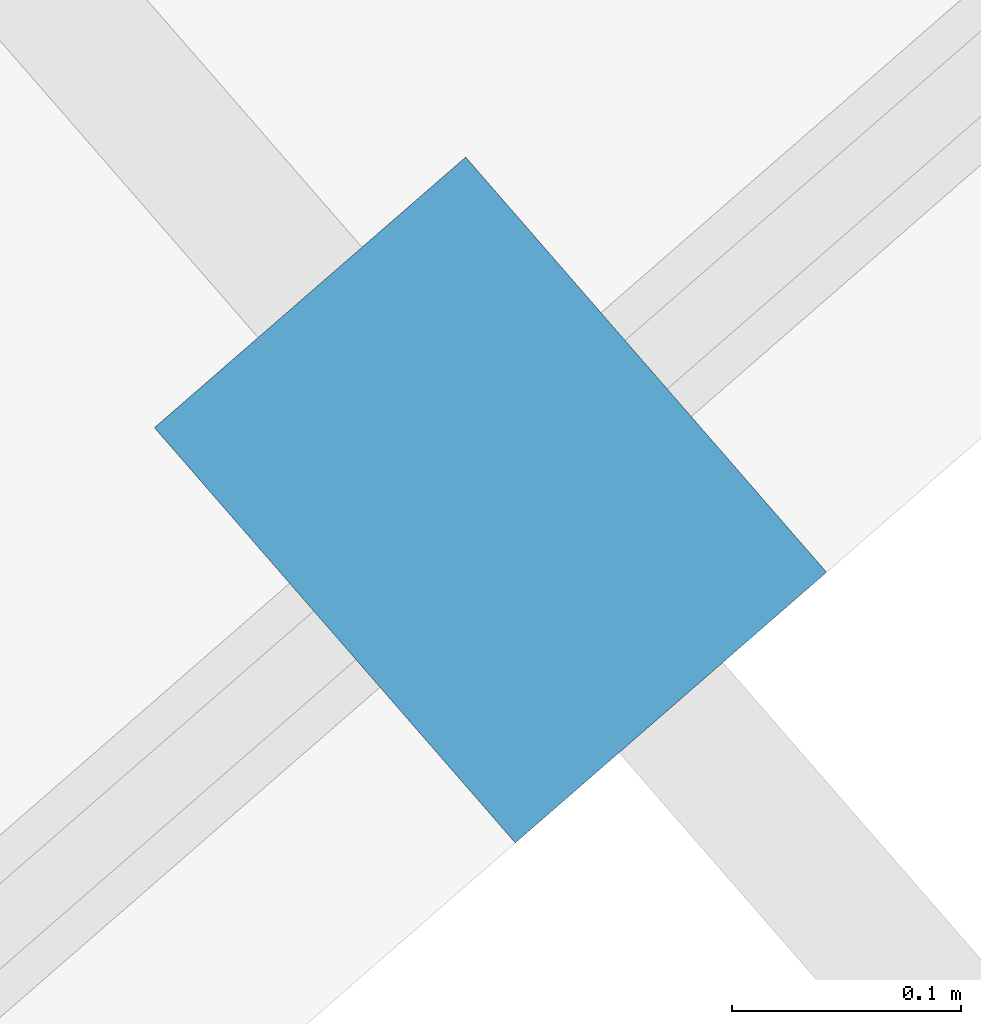
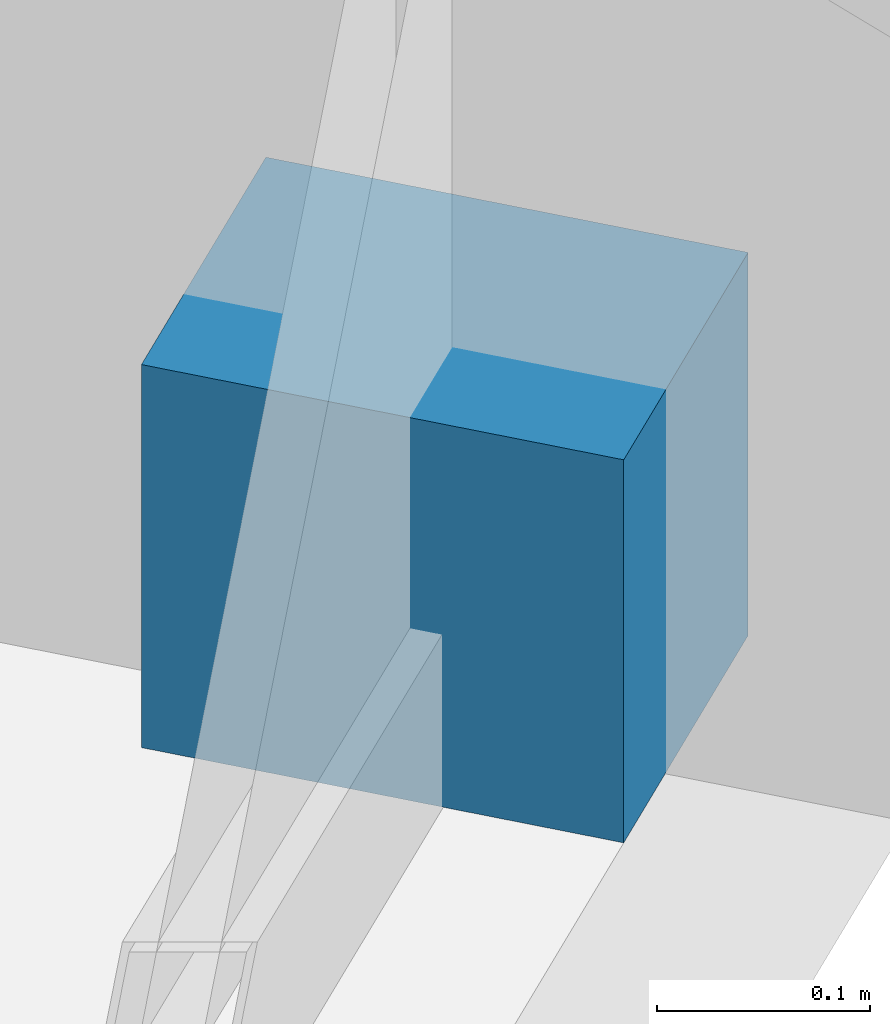
# One storey, part 22 of 25: 1 discrete accessory.
"""IFC4 building model written with IfcOpenShell, lengths in metres."""

from ifc_helpers import new_model, si_unit, direction, frame, origin, origin_2d, place, context, subcontext, project, spatial, rectangle, extrude, material, type_object, element, save


model = new_model("IFC4")

# Units and contexts
model_context = context("Model", 3, precision=1e-05, world=origin(), true_north=direction((0.0, 1.0)))
body_context = subcontext(model_context, "Body", "Model", "MODEL_VIEW")
ifc_project = project(units=[si_unit("LENGTHUNIT", "METRE"), si_unit("AREAUNIT", "SQUARE_METRE"), si_unit("VOLUMEUNIT", "CUBIC_METRE"), si_unit("PLANEANGLEUNIT", "RADIAN"), si_unit("MASSUNIT", "GRAM", prefix="KILO")], contexts=[model_context])

# Site, building, storey
site_placement = place(None, origin())
site = spatial("IfcSite", under=ifc_project, at=site_placement, CompositionType="ELEMENT")
building_placement = place(site_placement, origin())
building = spatial("IfcBuilding", under=site, at=building_placement, Name="Kravanh Interchange Tower", CompositionType="ELEMENT")
storey_placement = place(building_placement, frame((0.0, 0.0, 49.5)))
storey = spatial("IfcBuildingStorey", under=building, at=storey_placement, Name="L11", CompositionType="ELEMENT", Elevation=49.5)

# Discrete accessory
ifc_material = material(Name="Stainless Steel 316", Category="steel")
discrete_accessory_type = type_object("IfcDiscreteAccessoryType", Name="Solar Fin Curtain-Wall Mounting Bracket Stainless 316", PredefinedType="BRACKET", material=ifc_material)
discrete_accessory_placement = place(storey_placement, frame((62.16943359375, 2.328369140625, 0.0), z_axis=(0.0, 0.0, 1.0), x_axis=(0.656067828783, -0.754701930589, 0.0)))
element("IfcDiscreteAccessory", 1, at=discrete_accessory_placement, inside=storey, type_object=discrete_accessory_type, Name="L11 Solar Fin Mounting Bracket 2", PredefinedType="BRACKET", context=body_context, shape_type="SweptSolid", body=[
    extrude(rectangle(XDim=0.239990234375, YDim=0.179931640625, at=origin_2d()), origin(), (0.0, 0.0, 1.0), 0.219970703125),
])

save(model, "model.ifc")
